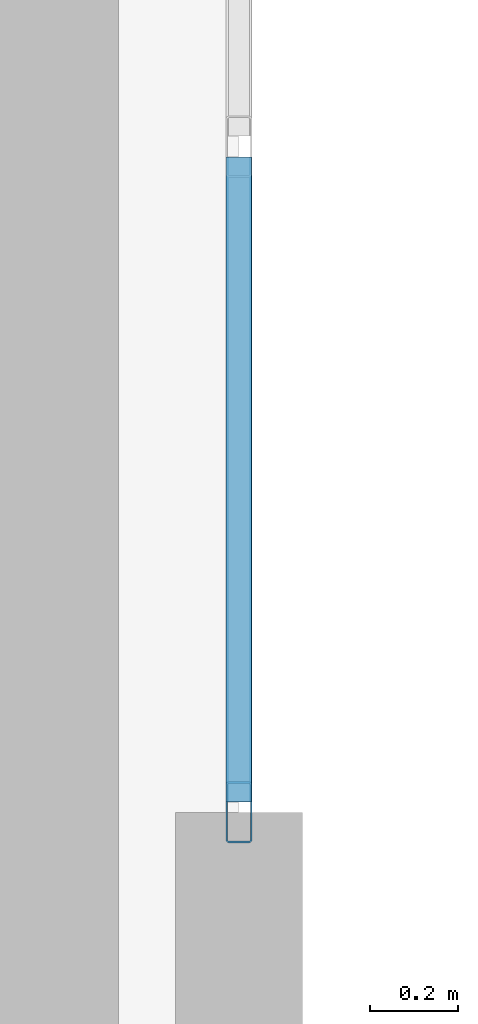
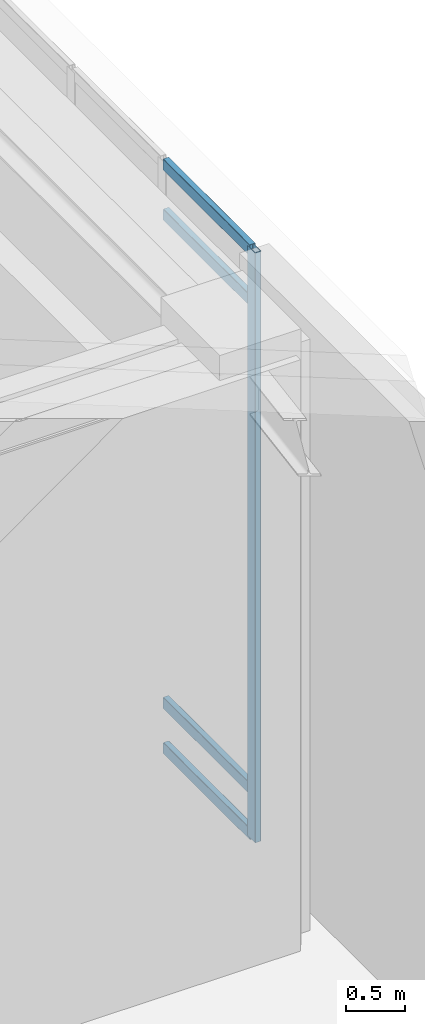
# One storey, part 2 of 9: 5 members, 1 element without a shape of its own.
"""IFC4 building model written with IfcOpenShell, lengths in metres."""

from ifc_helpers import new_model, si_unit, direction, frame, origin, origin_2d, place, context, subcontext, project, spatial, hollow_rectangle, extrude, material, layer, layer_set, material_profile, profile_set, type_object, element, aggregate, save


model = new_model("IFC4")

# Units and contexts
model_context = context("Model", 3, precision=1e-05, world=origin(), true_north=direction((0.0, 1.0)))
body_context = subcontext(model_context, "Body", "Model", "MODEL_VIEW")
ifc_project = project(units=[si_unit("LENGTHUNIT", "METRE"), si_unit("AREAUNIT", "SQUARE_METRE"), si_unit("VOLUMEUNIT", "CUBIC_METRE"), si_unit("PLANEANGLEUNIT", "RADIAN"), si_unit("MASSUNIT", "GRAM", prefix="KILO")], contexts=[model_context])

# Site, building, storey
site_placement = place(None, origin())
site = spatial("IfcSite", under=ifc_project, at=site_placement, CompositionType="ELEMENT")
building_placement = place(site_placement, origin())
building = spatial("IfcBuilding", under=site, at=building_placement, Name="Ndelora Gate Hotel", CompositionType="ELEMENT")
storey_placement = place(building_placement, frame((0.0, 0.0, 311.60009765625)))
storey = spatial("IfcBuildingStorey", under=building, at=storey_placement, Name="RF2", CompositionType="ELEMENT", Elevation=311.60009765625)

# Curtain wall, members
ifc_material_1 = material(Name="Bronze Anodised Unitised Aluminium and Low-E Glass", Category="aluminium")
ifc_layer = layer(ifc_material_1, 0.199951171875)
ifc_layer_set = layer_set([ifc_layer], Name="Bronze Anodised Unitised Aluminium and Low-E Glass")
curtain_wall_type = type_object("IfcCurtainWallType", Name="CW-SYS-8", PredefinedType="NOTDEFINED", material=ifc_layer_set)
curtain_wall_placement = place(storey_placement, origin())
curtain_wall = element("IfcCurtainWall", 1, at=curtain_wall_placement, inside=storey, type_object=curtain_wall_type, Name="RF2 Split-Crown West Cleft Lantern Curtain Wall CW8-1", PredefinedType="NOTDEFINED")
ifc_material_2 = material(Name="Bronze Anodised Aluminium 6063-T6", Category="aluminium")
ifc_material_profile_1 = material_profile(ifc_material_2, hollow_rectangle(XDim=0.06005859375, YDim=0.139892578125, WallThickness=0.00390625, InnerFilletRadius=0.00390625, OuterFilletRadius=0.008056640625, at=origin_2d()), Name="ALU 140x60x4")
ifc_profile_set_1 = profile_set([ifc_material_profile_1], Name="Bronze Anodised Aluminium 6063-T6")
member_type_1 = type_object("IfcMemberType", Name="MB-CW-MUL140", PredefinedType="MULLION", material=ifc_profile_set_1)
member_1_placement = place(storey_placement, frame((8.85009765625, -5.52001953125, -0.004150390625), z_axis=(0.0, 0.0, 1.0), x_axis=(-1.0, 0.0, 0.0)))
member_1 = element("IfcMember", 2, at=member_1_placement, type_object=member_type_1, Name="CW8 mullion 1", PredefinedType="MULLION", context=body_context, shape_type="SweptSolid", body=[
    extrude(hollow_rectangle(XDim=0.06005859375, YDim=0.139892578125, WallThickness=0.00390625, InnerFilletRadius=0.00390625, OuterFilletRadius=0.008056640625, at=origin_2d()), origin(), (0.0, 0.0, 1.0), 6.128173828125),
])
ifc_material_profile_2 = material_profile(ifc_material_2, hollow_rectangle(XDim=0.06005859375, YDim=0.1201171875, WallThickness=0.00390625, InnerFilletRadius=0.00390625, OuterFilletRadius=0.008056640625, at=origin_2d()), Name="ALU 120x60x4")
ifc_profile_set_2 = profile_set([ifc_material_profile_2], Name="Bronze Anodised Aluminium 6063-T6")
member_type_2 = type_object("IfcMemberType", Name="MB-CW-TRN120", PredefinedType="USERDEFINED", material=ifc_profile_set_2)
member_2_placement = place(storey_placement, frame((8.85009765625, -5.49609375, 0.02978515625), z_axis=(0.0, 1.0, 0.0), x_axis=(-1.0, 0.0, 0.0)))
member_2 = element("IfcMember", 3, at=member_2_placement, type_object=member_type_2, Name="CW8 transom 1.1", ObjectType="TRANSOM", PredefinedType="USERDEFINED", context=body_context, shape_type="SweptSolid", body=[
    extrude(hollow_rectangle(XDim=0.06005859375, YDim=0.1201171875, WallThickness=0.00390625, InnerFilletRadius=0.00390625, OuterFilletRadius=0.008056640625, at=origin_2d()), origin(), (0.0, 0.0, 1.0), 1.47216796875),
])
member_3_placement = place(storey_placement, frame((8.85009765625, -5.49609375, 0.5), z_axis=(0.0, 1.0, 0.0), x_axis=(-1.0, 0.0, 0.0)))
member_3 = element("IfcMember", 4, at=member_3_placement, type_object=member_type_2, Name="CW8 transom 1.2", ObjectType="TRANSOM", PredefinedType="USERDEFINED", context=body_context, shape_type="SweptSolid", body=[
    extrude(hollow_rectangle(XDim=0.06005859375, YDim=0.1201171875, WallThickness=0.00390625, InnerFilletRadius=0.00390625, OuterFilletRadius=0.008056640625, at=origin_2d()), origin(), (0.0, 0.0, 1.0), 1.47216796875),
])
member_4_placement = place(storey_placement, frame((8.85009765625, -5.49609375, 5.56982421875), z_axis=(0.0, 1.0, 0.0), x_axis=(-1.0, 0.0, 0.0)))
member_4 = element("IfcMember", 5, at=member_4_placement, type_object=member_type_2, Name="CW8 transom 1.3", ObjectType="TRANSOM", PredefinedType="USERDEFINED", context=body_context, shape_type="SweptSolid", body=[
    extrude(hollow_rectangle(XDim=0.06005859375, YDim=0.1201171875, WallThickness=0.00390625, InnerFilletRadius=0.00390625, OuterFilletRadius=0.008056640625, at=origin_2d()), origin(), (0.0, 0.0, 1.0), 1.47216796875),
])
member_5_placement = place(storey_placement, frame((8.85009765625, -5.49609375, 6.08984375), z_axis=(0.0, 1.0, 0.0), x_axis=(-1.0, 0.0, 0.0)))
member_5 = element("IfcMember", 6, at=member_5_placement, type_object=member_type_2, Name="CW8 transom 1.4", ObjectType="TRANSOM", PredefinedType="USERDEFINED", context=body_context, shape_type="SweptSolid", body=[
    extrude(hollow_rectangle(XDim=0.06005859375, YDim=0.1201171875, WallThickness=0.00390625, InnerFilletRadius=0.00390625, OuterFilletRadius=0.008056640625, at=origin_2d()), origin(), (0.0, 0.0, 1.0), 1.47216796875),
])
aggregate(curtain_wall, [member_1, member_2, member_3, member_4, member_5])

save(model, "model.ifc")
